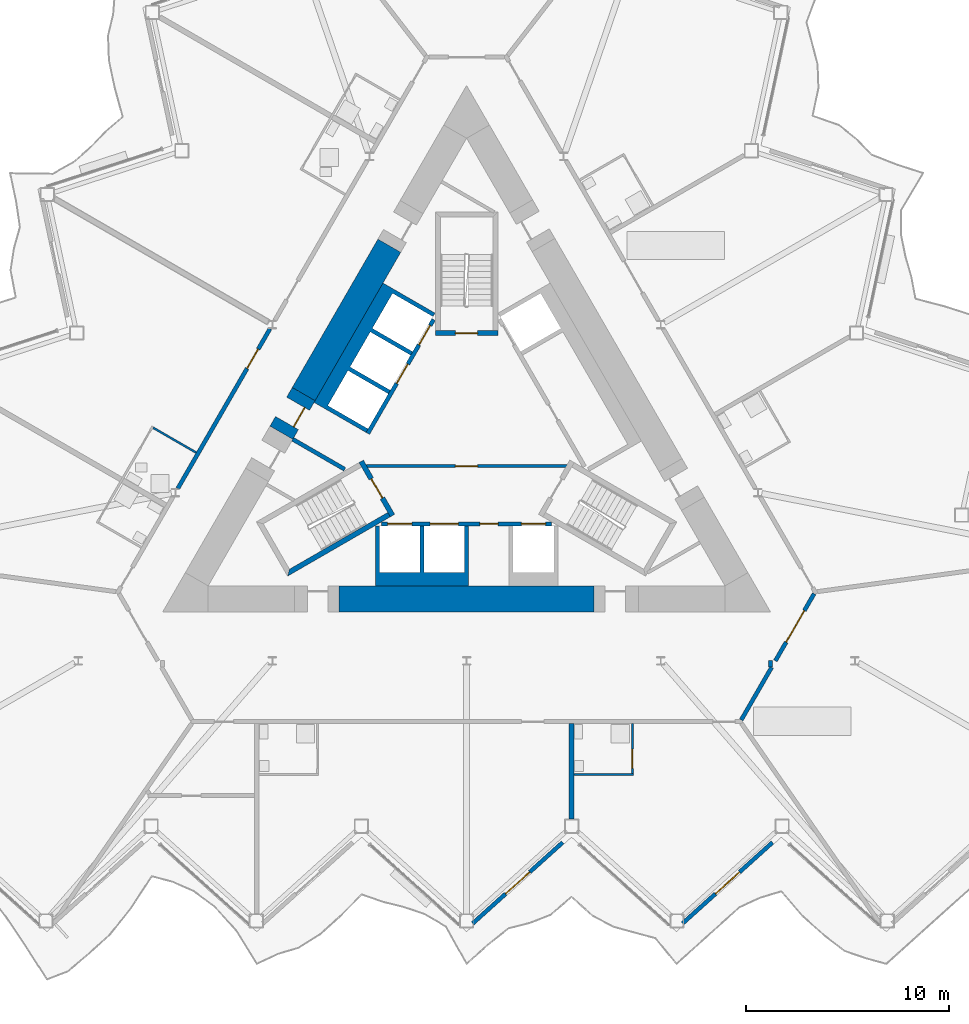
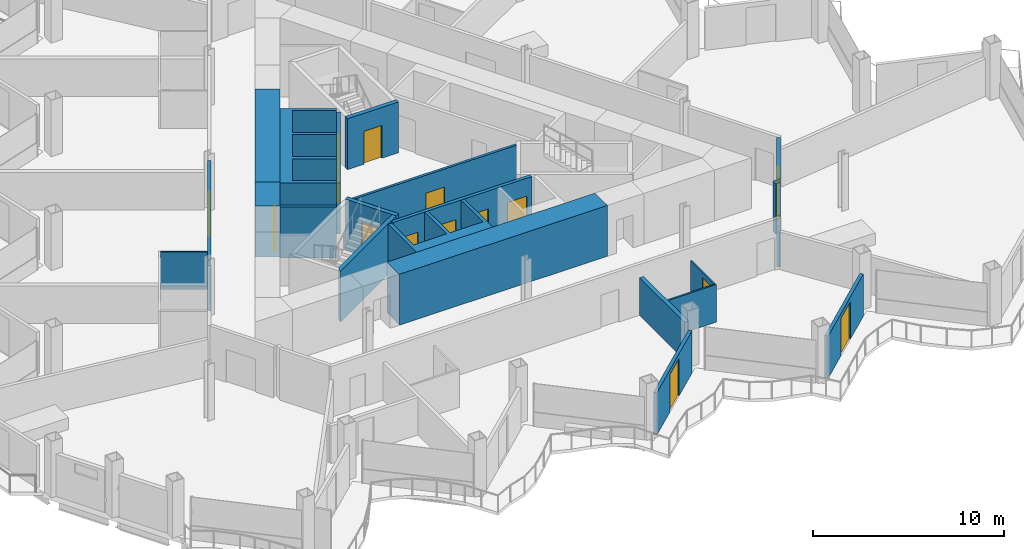
# One storey, part 12 of 23: 22 walls, 15 doors, 15 openings.
"""IFC4 building model written with IfcOpenShell, lengths in metres."""

from ifc_helpers import new_model, si_unit, direction, frame, frame_2d, origin, place, context, subcontext, project, spatial, polyline, rectangle, outline, extrude, material, layer, layer_set, type_object, element, fill, save


model = new_model("IFC4")

# Units and contexts
model_context = context("Model", 3, precision=1e-05, world=origin(), true_north=direction((0.0, 1.0)))
body_context = subcontext(model_context, "Body", "Model", "MODEL_VIEW")
ifc_project = project(units=[si_unit("LENGTHUNIT", "METRE"), si_unit("AREAUNIT", "SQUARE_METRE"), si_unit("VOLUMEUNIT", "CUBIC_METRE"), si_unit("PLANEANGLEUNIT", "RADIAN"), si_unit("MASSUNIT", "GRAM", prefix="KILO")], contexts=[model_context])

# Site, building, storey
site_placement = place(None, origin())
site = spatial("IfcSite", under=ifc_project, at=site_placement, CompositionType="ELEMENT")
building_placement = place(site_placement, origin())
building = spatial("IfcBuilding", under=site, at=building_placement, Name="Cormorant Prow Tower", CompositionType="ELEMENT")
storey_placement = place(building_placement, frame((0.0, 0.0, 241.800048828125)))
storey = spatial("IfcBuildingStorey", under=building, at=storey_placement, Name="L53", CompositionType="ELEMENT", Elevation=241.800048828125)

# Wall, opening, door
ifc_material_1 = material(Name="Gypsum board partition")
ifc_layer_1 = layer(ifc_material_1, 0.14990234375)
ifc_layer_set_1 = layer_set([ifc_layer_1], Name="Gypsum board partition")
wall_type_1 = type_object("IfcWallType", Name="Core partition 150", PredefinedType="PARTITIONING", material=ifc_layer_set_1)
wall_1_placement = place(storey_placement, frame((-4.941162109375, -1.449951171875, 0.0), z_axis=(0.0, 0.0, 1.0), x_axis=(1.0, 0.0, 0.0)))
wall_1 = element("IfcWall", 1, at=wall_1_placement, inside=storey, type_object=wall_type_1, Name="Firefighting lobby partition", PredefinedType="PARTITIONING", context=body_context, shape_type="SweptSolid", body=[
    extrude(rectangle(XDim=9.88232421875, YDim=0.14990234375, at=frame_2d((4.941162109375, 0.0))), origin(), (0.0, 0.0, 1.0), 3.25),
])
opening_1_placement = place(wall_1_placement, frame((4.39111328125, 0.0, 0.0)))
opening_1 = element("IfcOpeningElement", 2, at=opening_1_placement, cuts=wall_1, Name="Opening L53-C09", PredefinedType="OPENING", context=body_context, shape_type="SweptSolid", body=[
    extrude(rectangle(XDim=1.10009765625, YDim=2.10009765625, at=frame_2d((0.550048828125, 1.050048828125))), frame((0.0, 0.0849609375, 0.0), z_axis=(0.0, -1.0, 0.0), x_axis=(1.0, 0.0, 0.0)), (0.0, 0.0, 1.0), 0.169921875),
])
ifc_material_2 = material(Name="Painted steel", Category="steel")
door_type_1 = type_object("IfcDoorType", Name="Firefighting lobby door 1100x2100", OperationType="NOTDEFINED", PredefinedType="DOOR", material=ifc_material_2)
door_1_placement = place(opening_1_placement, origin())
door_1 = element("IfcDoor", 3, at=door_1_placement, inside=storey, type_object=door_type_1, Name="Firefighting lobby door", OperationType="SINGLE_SWING_LEFT", OverallHeight=2.10009765625, OverallWidth=1.10009765625, PredefinedType="DOOR", context=body_context, shape_type="SweptSolid", body=[
    extrude(rectangle(XDim=1.10009765625, YDim=2.10009765625, at=frame_2d((0.550048828125, 1.050048828125))), frame((0.0, 0.02490234375, 0.0), z_axis=(0.0, -1.0, 0.0), x_axis=(1.0, 0.0, 0.0)), (0.0, 0.0, 1.0), 0.050048828125),
])
fill(opening_1, door_1)

# Walls
ifc_material_3 = material(Name="Concrete 8000 psi", Category="concrete")
ifc_layer_2 = layer(ifc_material_3, 1.300048828125)
ifc_layer_set_2 = layer_set([ifc_layer_2], Name="Concrete 8000 psi")
wall_type_2 = type_object("IfcWallType", Name="Core shear wall 1300", PredefinedType="SHEAR", material=ifc_layer_set_2)
wall_2_placement = place(storey_placement, frame((-6.2880859375, -8.01025390625, 0.0), z_axis=(0.0, 0.0, 1.0), x_axis=(1.0, 0.0, 0.0)))
element("IfcWall", 4, at=wall_2_placement, inside=storey, type_object=wall_type_2, Name="Core wall", PredefinedType="SHEAR", context=body_context, shape_type="SweptSolid", body=[
    extrude(rectangle(XDim=12.576171875, YDim=1.300048828125, at=frame_2d((6.2880859375, 0.0))), origin(), (0.0, 0.0, 1.0), 3.25),
])
wall_3_placement = place(storey_placement, frame((-3.811767578125, 9.41845703125, 0.0), z_axis=(0.0, 0.0, 1.0), x_axis=(-0.499995037753, -0.86602826872, 0.0)))
element("IfcWall", 5, at=wall_3_placement, inside=storey, type_object=wall_type_2, Name="Core wall", PredefinedType="SHEAR", context=body_context, shape_type="SweptSolid", body=[
    extrude(rectangle(XDim=8.45068359375, YDim=1.300048828125, at=frame_2d((4.225341796875, 0.0))), origin(), (0.0, 0.0, 1.0), 3.25),
])

# Wall, opening, door
wall_4_placement = place(storey_placement, frame((-8.037109375, 2.099853515625, 0.0), z_axis=(0.0, 0.0, 1.0), x_axis=(-0.50002983664, -0.866008176907, 0.0)))
wall_4 = element("IfcWall", 6, at=wall_4_placement, inside=storey, type_object=wall_type_2, Name="Core wall door panel", PredefinedType="SHEAR", context=body_context, shape_type="SweptSolid", body=[
    extrude(rectangle(XDim=2.199951171875, YDim=1.300048828125, at=frame_2d((1.10009765625, 0.0))), origin(), (0.0, 0.0, 1.0), 3.25),
])
opening_2_placement = place(wall_4_placement, frame((0.550048828125, 0.0, 0.0)))
opening_2 = element("IfcOpeningElement", 7, at=opening_2_placement, cuts=wall_4, Name="Opening L53-C19", PredefinedType="OPENING", context=body_context, shape_type="SweptSolid", body=[
    extrude(rectangle(XDim=1.10009765625, YDim=2.10009765625, at=frame_2d((0.550048828125, 1.050048828125))), frame((0.0, 0.659912109375, 0.0), z_axis=(0.0, -1.0, 0.0), x_axis=(1.0, 0.0, 0.0)), (0.0, 0.0, 1.0), 1.320068359375),
])
ifc_material_4 = material(Name="Painted steel", Category="steel")
door_type_2 = type_object("IfcDoorType", Name="Core door 1100x2100", OperationType="NOTDEFINED", PredefinedType="DOOR", material=ifc_material_4)
door_2_placement = place(opening_2_placement, origin())
door_2 = element("IfcDoor", 8, at=door_2_placement, inside=storey, type_object=door_type_2, Name="Core door, lift lobby", OperationType="SINGLE_SWING_RIGHT", OverallHeight=2.10009765625, OverallWidth=1.10009765625, PredefinedType="DOOR", context=body_context, shape_type="SweptSolid", body=[
    extrude(rectangle(XDim=1.10009765625, YDim=2.10009765625, at=frame_2d((0.550048828125, 1.050048828125))), frame((0.0, 0.40478515625, 0.0), z_axis=(0.0, -1.0, 0.0), x_axis=(1.0, 0.0, 0.0)), (0.0, 0.0, 1.0), 0.050048828125),
])
fill(opening_2, door_2)

ifc_material_5 = material(Name="Gypsum board corridor wall")
ifc_layer_3 = layer(ifc_material_5, 0.199951171875)
ifc_layer_set_3 = layer_set([ifc_layer_3], Name="Gypsum board corridor wall")
wall_type_3 = type_object("IfcWallType", Name="Corridor wall 200", PredefinedType="PARTITIONING", material=ifc_layer_set_3)
wall_5_placement = place(storey_placement, frame((-14.24658203125, -2.5556640625, 0.0), z_axis=(0.0, 0.0, 1.0), x_axis=(0.49998193945, 0.866035830797, 0.0)))
wall_5 = element("IfcWall", 9, at=wall_5_placement, inside=storey, type_object=wall_type_3, Name="Corridor wall", PredefinedType="PARTITIONING", context=body_context, shape_type="SweptSolid", body=[
    extrude(rectangle(XDim=9.094482421875, YDim=0.199951171875, at=frame_2d((4.54736328125, 0.0))), origin(), (0.0, 0.0, 1.0), 3.25),
])
opening_3_placement = place(wall_5_placement, frame((6.833251953125, 0.0, 0.0)))
opening_3 = element("IfcOpeningElement", 10, at=opening_3_placement, cuts=wall_5, Name="Opening L53-F18", PredefinedType="OPENING", context=body_context, shape_type="SweptSolid", body=[
    extrude(rectangle(XDim=1.10009765625, YDim=2.10009765625, at=frame_2d((0.550048828125, 1.050048828125))), frame((0.0, 0.10986328125, 0.0), z_axis=(0.0, -1.0, 0.0), x_axis=(1.0, 0.0, 0.0)), (0.0, 0.0, 1.0), 0.219970703125),
])
ifc_material_6 = material(Name="Timber door leaf", Category="wood")
door_type_3 = type_object("IfcDoorType", Name="Suite entrance door 1100x2100", OperationType="NOTDEFINED", PredefinedType="DOOR", material=ifc_material_6)
door_3_placement = place(opening_3_placement, origin())
door_3 = element("IfcDoor", 11, at=door_3_placement, inside=storey, type_object=door_type_3, Name="Junior suite door", OperationType="SINGLE_SWING_RIGHT", OverallHeight=2.10009765625, OverallWidth=1.10009765625, PredefinedType="DOOR", context=body_context, shape_type="SweptSolid", body=[
    extrude(rectangle(XDim=1.10009765625, YDim=2.10009765625, at=frame_2d((0.550048828125, 1.050048828125))), frame((0.0, 0.02490234375, 0.0), z_axis=(0.0, -1.0, 0.0), x_axis=(1.0, 0.0, 0.0)), (0.0, 0.0, 1.0), 0.050048828125),
])
fill(opening_3, door_3)

wall_6_placement = place(storey_placement, frame((15.23095703125, -11.060302734375, 0.0), z_axis=(0.0, 0.0, 1.0), x_axis=(0.499961815444, 0.866047448526, 0.0)))
wall_6 = element("IfcWall", 12, at=wall_6_placement, inside=storey, type_object=wall_type_3, Name="Corridor wall", PredefinedType="PARTITIONING", context=body_context, shape_type="SweptSolid", body=[
    extrude(rectangle(XDim=3.825927734375, YDim=0.199951171875, at=frame_2d((1.9130859375, 0.0))), origin(), (0.0, 0.0, 1.0), 3.25),
])
opening_4_placement = place(wall_6_placement, frame((1.06396484375, 0.0, 0.0)))
opening_4 = element("IfcOpeningElement", 13, at=opening_4_placement, cuts=wall_6, Name="Opening L53-F07", PredefinedType="OPENING", context=body_context, shape_type="SweptSolid", body=[
    extrude(rectangle(XDim=1.800048828125, YDim=2.10009765625, at=frame_2d((0.89990234375, 1.050048828125))), frame((0.0, 0.10986328125, 0.0), z_axis=(0.0, -1.0, 0.0), x_axis=(1.0, 0.0, 0.0)), (0.0, 0.0, 1.0), 0.219970703125),
])
ifc_material_7 = material(Name="Timber door leaf", Category="wood")
door_type_4 = type_object("IfcDoorType", Name="Double door 1800x2100", OperationType="DOUBLE_DOOR_SINGLE_SWING", PredefinedType="DOOR", material=ifc_material_7)
door_4_placement = place(opening_4_placement, origin())
door_4 = element("IfcDoor", 14, at=door_4_placement, inside=storey, type_object=door_type_4, Name="Co-working space door", OperationType="DOUBLE_DOOR_SINGLE_SWING", OverallHeight=2.10009765625, OverallWidth=1.800048828125, PredefinedType="DOOR", context=body_context, shape_type="SweptSolid", body=[
    extrude(rectangle(XDim=1.800048828125, YDim=2.10009765625, at=frame_2d((0.89990234375, 1.050048828125))), frame((0.0, 0.02490234375, 0.0), z_axis=(0.0, -1.0, 0.0), x_axis=(1.0, 0.0, 0.0)), (0.0, 0.0, 1.0), 0.050048828125),
])
fill(opening_4, door_4)

# Walls
wall_7_placement = place(storey_placement, frame((13.548828125, -13.9736328125, 0.0), z_axis=(0.0, 0.0, 1.0), x_axis=(0.500048608389, 0.865997337899, 0.0)))
element("IfcWall", 15, at=wall_7_placement, inside=storey, type_object=wall_type_3, Name="Corridor wall", PredefinedType="PARTITIONING", context=body_context, shape_type="SweptSolid", body=[
    extrude(rectangle(XDim=3.002197265625, YDim=0.199951171875, at=frame_2d((1.5009765625, 0.0))), origin(), (0.0, 0.0, 1.0), 3.25),
])
wall_8_placement = place(storey_placement, frame((15.0, -11.3603515625, 0.0), z_axis=(0.0, 0.0, 1.0), x_axis=(0.0, 1.0, 0.0)))
element("IfcWall", 16, at=wall_8_placement, inside=storey, type_object=wall_type_3, Name="Corridor wall", PredefinedType="PARTITIONING", context=body_context, shape_type="SweptSolid", body=[
    extrude(rectangle(XDim=0.31005859375, YDim=0.199951171875, at=frame_2d((0.155029296875, 0.0))), origin(), (0.0, 0.0, 1.0), 3.25),
])
ifc_material_8 = material(Name="Gypsum board partition")
ifc_layer_4 = layer(ifc_material_8, 0.10009765625)
ifc_layer_set_4 = layer_set([ifc_layer_4], Name="Gypsum board partition")
wall_type_4 = type_object("IfcWallType", Name="Internal partition 100", PredefinedType="PARTITIONING", material=ifc_layer_set_4)
wall_9_placement = place(storey_placement, frame((5.30078125, -16.660400390625, 0.0), z_axis=(0.0, 0.0, 1.0), x_axis=(1.0, 0.0, 0.0)))
element("IfcWall", 17, at=wall_9_placement, inside=storey, type_object=wall_type_4, Name="Internal partition", PredefinedType="PARTITIONING", context=body_context, shape_type="SweptSolid", body=[
    extrude(rectangle(XDim=2.9248046875, YDim=0.10009765625, at=frame_2d((1.46240234375, 0.0))), origin(), (0.0, 0.0, 1.0), 2.404052734375),
])
wall_10_placement = place(storey_placement, frame((-15.46240234375, 0.438720703125, 0.0), z_axis=(0.0, 0.0, 1.0), x_axis=(0.865989751695, -0.500061746146, 0.0)))
element("IfcWall", 18, at=wall_10_placement, inside=storey, type_object=wall_type_4, Name="Internal partition", PredefinedType="PARTITIONING", context=body_context, shape_type="SweptSolid", body=[
    extrude(rectangle(XDim=2.449951171875, YDim=0.10009765625, at=frame_2d((1.22509765625, 0.0))), origin(), (0.0, 0.0, 1.0), 2.404052734375),
])

# Wall, opening, door
wall_11_placement = place(storey_placement, frame((8.17578125, -16.6103515625, 0.0), z_axis=(0.0, 0.0, 1.0), x_axis=(0.0, 1.0, 0.0)))
wall_11 = element("IfcWall", 19, at=wall_11_placement, inside=storey, type_object=wall_type_4, Name="Internal partition", PredefinedType="PARTITIONING", context=body_context, shape_type="SweptSolid", body=[
    extrude(rectangle(XDim=2.449951171875, YDim=0.10009765625, at=frame_2d((1.22509765625, 0.0))), origin(), (0.0, 0.0, 1.0), 2.404052734375),
])
opening_5_placement = place(wall_11_placement, frame((0.25, 0.0, 0.0)))
opening_5 = element("IfcOpeningElement", 20, at=opening_5_placement, cuts=wall_11, Name="Opening L53-F06", PredefinedType="OPENING", context=body_context, shape_type="SweptSolid", body=[
    extrude(rectangle(XDim=0.949951171875, YDim=2.10009765625, at=frame_2d((0.47509765625, 1.050048828125))), frame((0.0, 0.06005859375, 0.0), z_axis=(0.0, -1.0, 0.0), x_axis=(1.0, 0.0, 0.0)), (0.0, 0.0, 1.0), 0.1201171875),
])
ifc_material_9 = material(Name="Timber door leaf", Category="wood")
door_type_5 = type_object("IfcDoorType", Name="Bathroom door 950x2100", OperationType="NOTDEFINED", PredefinedType="DOOR", material=ifc_material_9)
door_5_placement = place(opening_5_placement, origin())
door_5 = element("IfcDoor", 21, at=door_5_placement, inside=storey, type_object=door_type_5, Name="Executive suite bedroom door", OperationType="SINGLE_SWING_LEFT", OverallHeight=2.10009765625, OverallWidth=0.949951171875, PredefinedType="DOOR", context=body_context, shape_type="SweptSolid", body=[
    extrude(rectangle(XDim=0.949951171875, YDim=2.10009765625, at=frame_2d((0.47509765625, 1.050048828125))), frame((0.0, 0.02490234375, 0.0), z_axis=(0.0, -1.0, 0.0), x_axis=(1.0, 0.0, 0.0)), (0.0, 0.0, 1.0), 0.050048828125),
])
fill(opening_5, door_5)

# Wall, openings, doors
ifc_material_10 = material(Name="Concrete 5000 psi", Category="concrete")
ifc_layer_5 = layer(ifc_material_10, 0.199951171875)
ifc_layer_set_5 = layer_set([ifc_layer_5], Name="Concrete 5000 psi")
wall_type_5 = type_object("IfcWallType", Name="Lift lobby wall 200", PredefinedType="SOLIDWALL", material=ifc_layer_set_5)
wall_12_placement = place(storey_placement, frame((-4.1865234375, -4.300048828125, 0.0), z_axis=(0.0, 0.0, 1.0), x_axis=(1.0, 0.0, 0.0)))
wall_12 = element("IfcWall", 22, at=wall_12_placement, inside=storey, type_object=wall_type_5, Name="Lift lobby wall, S block", PredefinedType="SOLIDWALL", context=body_context, shape_type="SweptSolid", body=[
    extrude(rectangle(XDim=8.373046875, YDim=0.199951171875, at=frame_2d((4.1865234375, 0.0))), origin(), (0.0, 0.0, 1.0), 3.25),
])
opening_6_placement = place(wall_12_placement, frame((0.28662109375, 0.0, 0.0)))
opening_6 = element("IfcOpeningElement", 23, at=opening_6_placement, cuts=wall_12, Name="Opening L53-C01", PredefinedType="OPENING", context=body_context, shape_type="SweptSolid", body=[
    extrude(rectangle(XDim=1.199951171875, YDim=2.10009765625, at=frame_2d((0.60009765625, 1.050048828125))), frame((0.0, 0.10986328125, 0.0), z_axis=(0.0, -1.0, 0.0), x_axis=(1.0, 0.0, 0.0)), (0.0, 0.0, 1.0), 0.219970703125),
])
opening_7_placement = place(wall_12_placement, frame((2.38671875, 0.0, 0.0)))
opening_7 = element("IfcOpeningElement", 24, at=opening_7_placement, cuts=wall_12, Name="Opening L53-C02", PredefinedType="OPENING", context=body_context, shape_type="SweptSolid", body=[
    extrude(rectangle(XDim=1.39990234375, YDim=2.10009765625, at=frame_2d((0.699951171875, 1.050048828125))), frame((0.0, 0.10986328125, 0.0), z_axis=(0.0, -1.0, 0.0), x_axis=(1.0, 0.0, 0.0)), (0.0, 0.0, 1.0), 0.219970703125),
])
opening_8_placement = place(wall_12_placement, frame((4.836669921875, 0.0, 0.0)))
opening_8 = element("IfcOpeningElement", 25, at=opening_8_placement, cuts=wall_12, Name="Opening L53-C03", PredefinedType="OPENING", context=body_context, shape_type="SweptSolid", body=[
    extrude(rectangle(XDim=0.89990234375, YDim=2.10009765625, at=frame_2d((0.449951171875, 1.050048828125))), frame((0.0, 0.10986328125, 0.0), z_axis=(0.0, -1.0, 0.0), x_axis=(1.0, 0.0, 0.0)), (0.0, 0.0, 1.0), 0.219970703125),
])
opening_9_placement = place(wall_12_placement, frame((6.88671875, 0.0, 0.0)))
opening_9 = element("IfcOpeningElement", 26, at=opening_9_placement, cuts=wall_12, Name="Opening L53-C04", PredefinedType="OPENING", context=body_context, shape_type="SweptSolid", body=[
    extrude(rectangle(XDim=1.199951171875, YDim=2.10009765625, at=frame_2d((0.60009765625, 1.050048828125))), frame((0.0, 0.10986328125, 0.0), z_axis=(0.0, -1.0, 0.0), x_axis=(1.0, 0.0, 0.0)), (0.0, 0.0, 1.0), 0.219970703125),
])
ifc_material_11 = material(Name="Painted steel", Category="steel")
door_type_6 = type_object("IfcDoorType", Name="Firefighting lift landing door 1200x2100", OperationType="SLIDING_TO_LEFT", PredefinedType="DOOR", material=ifc_material_11)
door_6_placement = place(opening_6_placement, origin())
door_6 = element("IfcDoor", 27, at=door_6_placement, inside=storey, type_object=door_type_6, Name="Landing door FL1", OperationType="SLIDING_TO_LEFT", OverallHeight=2.10009765625, OverallWidth=1.199951171875, PredefinedType="DOOR", context=body_context, shape_type="SweptSolid", body=[
    extrude(rectangle(XDim=1.199951171875, YDim=2.10009765625, at=frame_2d((0.60009765625, 1.050048828125))), frame((0.0, 0.02490234375, 0.0), z_axis=(0.0, -1.0, 0.0), x_axis=(1.0, 0.0, 0.0)), (0.0, 0.0, 1.0), 0.050048828125),
])
fill(opening_6, door_6)
door_7_placement = place(opening_9_placement, origin())
door_7 = element("IfcDoor", 28, at=door_7_placement, inside=storey, type_object=door_type_6, Name="Landing door FL2", OperationType="SLIDING_TO_LEFT", OverallHeight=2.10009765625, OverallWidth=1.199951171875, PredefinedType="DOOR", context=body_context, shape_type="SweptSolid", body=[
    extrude(rectangle(XDim=1.199951171875, YDim=2.10009765625, at=frame_2d((0.60009765625, 1.050048828125))), frame((0.0, 0.02490234375, 0.0), z_axis=(0.0, -1.0, 0.0), x_axis=(1.0, 0.0, 0.0)), (0.0, 0.0, 1.0), 0.050048828125),
])
fill(opening_9, door_7)
ifc_material_12 = material(Name="Painted steel", Category="steel")
door_type_7 = type_object("IfcDoorType", Name="Service door 900x2100", OperationType="NOTDEFINED", PredefinedType="DOOR", material=ifc_material_12)
door_8_placement = place(opening_8_placement, origin())
door_8 = element("IfcDoor", 29, at=door_8_placement, inside=storey, type_object=door_type_7, Name="Service door, Telecom room", OperationType="SINGLE_SWING_RIGHT", OverallHeight=2.10009765625, OverallWidth=0.89990234375, PredefinedType="DOOR", context=body_context, shape_type="SweptSolid", body=[
    extrude(rectangle(XDim=0.89990234375, YDim=2.10009765625, at=frame_2d((0.449951171875, 1.050048828125))), frame((0.0, 0.02490234375, 0.0), z_axis=(0.0, -1.0, 0.0), x_axis=(1.0, 0.0, 0.0)), (0.0, 0.0, 1.0), 0.050048828125),
])
fill(opening_8, door_8)
ifc_material_13 = material(Name="Painted steel", Category="steel")
door_type_8 = type_object("IfcDoorType", Name="Service lift landing door 1400x2100", OperationType="SLIDING_TO_LEFT", PredefinedType="DOOR", material=ifc_material_13)
door_9_placement = place(opening_7_placement, origin())
door_9 = element("IfcDoor", 30, at=door_9_placement, inside=storey, type_object=door_type_8, Name="Landing door SL1", OperationType="SLIDING_TO_LEFT", OverallHeight=2.10009765625, OverallWidth=1.39990234375, PredefinedType="DOOR", context=body_context, shape_type="SweptSolid", body=[
    extrude(rectangle(XDim=1.39990234375, YDim=2.10009765625, at=frame_2d((0.699951171875, 1.050048828125))), frame((0.0, 0.02490234375, 0.0), z_axis=(0.0, -1.0, 0.0), x_axis=(1.0, 0.0, 0.0)), (0.0, 0.0, 1.0), 0.050048828125),
])
fill(opening_7, door_9)

wall_13_placement = place(storey_placement, frame((-1.630615234375, 5.775634765625, 0.0), z_axis=(0.0, 0.0, 1.0), x_axis=(-0.499992876559, -0.866029516466, 0.0)))
wall_13 = element("IfcWall", 31, at=wall_13_placement, inside=storey, type_object=wall_type_5, Name="Lift lobby wall, WNW block", PredefinedType="SOLIDWALL", context=body_context, shape_type="SweptSolid", body=[
    extrude(rectangle(XDim=6.486328125, YDim=0.199951171875, at=frame_2d((3.2431640625, 0.0))), origin(), (0.0, 0.0, 1.0), 3.25),
])
opening_10_placement = place(wall_13_placement, frame((0.336669921875, 0.0, 0.0)))
opening_10 = element("IfcOpeningElement", 32, at=opening_10_placement, cuts=wall_13, Name="Opening L53-C07", PredefinedType="OPENING", context=body_context, shape_type="SweptSolid", body=[
    extrude(rectangle(XDim=1.10009765625, YDim=2.10009765625, at=frame_2d((0.550048828125, 1.050048828125))), frame((0.0, 0.10986328125, 0.0), z_axis=(0.0, -1.0, 0.0), x_axis=(1.0, 0.0, 0.0)), (0.0, 0.0, 1.0), 0.219970703125),
])
opening_11_placement = place(wall_13_placement, frame((2.53662109375, 0.0, 0.0)))
opening_11 = element("IfcOpeningElement", 33, at=opening_11_placement, cuts=wall_13, Name="Opening L53-C08", PredefinedType="OPENING", context=body_context, shape_type="SweptSolid", body=[
    extrude(rectangle(XDim=1.10009765625, YDim=2.10009765625, at=frame_2d((0.550048828125, 1.050048828125))), frame((0.0, 0.10986328125, 0.0), z_axis=(0.0, -1.0, 0.0), x_axis=(1.0, 0.0, 0.0)), (0.0, 0.0, 1.0), 0.219970703125),
])
ifc_material_14 = material(Name="Painted steel", Category="steel")
door_type_9 = type_object("IfcDoorType", Name="Lift landing door 1100x2100", OperationType="SLIDING_TO_LEFT", PredefinedType="DOOR", material=ifc_material_14)
door_10_placement = place(opening_10_placement, origin())
door_10 = element("IfcDoor", 34, at=door_10_placement, inside=storey, type_object=door_type_9, Name="Landing door MR2", OperationType="SLIDING_TO_LEFT", OverallHeight=2.10009765625, OverallWidth=1.10009765625, PredefinedType="DOOR", context=body_context, shape_type="SweptSolid", body=[
    extrude(rectangle(XDim=1.10009765625, YDim=2.10009765625, at=frame_2d((0.550048828125, 1.050048828125))), frame((0.0, 0.02490234375, 0.0), z_axis=(0.0, -1.0, 0.0), x_axis=(1.0, 0.0, 0.0)), (0.0, 0.0, 1.0), 0.050048828125),
])
fill(opening_10, door_10)
door_11_placement = place(opening_11_placement, origin())
door_11 = element("IfcDoor", 35, at=door_11_placement, inside=storey, type_object=door_type_9, Name="Landing door MR3", OperationType="SLIDING_TO_LEFT", OverallHeight=2.10009765625, OverallWidth=1.10009765625, PredefinedType="DOOR", context=body_context, shape_type="SweptSolid", body=[
    extrude(rectangle(XDim=1.10009765625, YDim=2.10009765625, at=frame_2d((0.550048828125, 1.050048828125))), frame((0.0, 0.02490234375, 0.0), z_axis=(0.0, -1.0, 0.0), x_axis=(1.0, 0.0, 0.0)), (0.0, 0.0, 1.0), 0.050048828125),
])
fill(opening_11, door_11)

# Walls
ifc_material_15 = material(Name="Concrete 8000 psi", Category="concrete")
ifc_layer_6 = layer(ifc_material_15, 0.199951171875)
ifc_layer_set_6 = layer_set([ifc_layer_6], Name="Concrete 8000 psi")
wall_type_6 = type_object("IfcWallType", Name="Lift shaft wall 200", PredefinedType="SHEAR", material=ifc_layer_set_6)
wall_14_placement = place(storey_placement, origin())
element("IfcWall", 36, at=wall_14_placement, inside=storey, type_object=wall_type_6, Name="Lift shaft walls, S block", PredefinedType="SHEAR", context=body_context, shape_type="SweptSolid", body=[
    extrude(outline(polyline([(0.10009765625, -7.3603515625), (-4.5, -7.3603515625), (-4.5, -4.39990234375), (-4.300048828125, -4.39990234375), (-4.300048828125, -6.699951171875), (-2.300048828125, -6.699951171875), (-2.300048828125, -4.39990234375), (-2.10009765625, -4.39990234375), (-2.10009765625, -6.699951171875), (-0.10009765625, -6.699951171875), (-0.10009765625, -4.39990234375), (0.10009765625, -4.39990234375), (0.10009765625, -7.3603515625)])), origin(), (0.0, 0.0, 1.0), 3.25),
])
wall_15_placement = place(storey_placement, origin())
element("IfcWall", 37, at=wall_15_placement, inside=storey, type_object=wall_type_6, Name="Lift shaft walls, WNW block", PredefinedType="SHEAR", context=body_context, shape_type="SweptSolid", body=[
    extrude(outline(polyline([(-7.524169921875, 1.688232421875), (-4.124267578125, 7.5771484375), (-3.730712890625, 7.35009765625), (-1.560546875, 6.09716796875), (-1.660400390625, 5.923828125), (-3.65234375, 7.073974609375), (-4.65234375, 5.341796875), (-2.660400390625, 4.19189453125), (-2.760498046875, 4.018798828125), (-4.75244140625, 5.168701171875), (-5.75244140625, 3.4365234375), (-3.760498046875, 2.28662109375), (-3.860595703125, 2.11328125), (-5.852294921875, 3.263427734375), (-6.852294921875, 1.53125), (-4.860595703125, 0.38134765625), (-4.96044921875, 0.2080078125), (-7.130859375, 1.461181640625), (-7.524169921875, 1.688232421875)])), origin(), (0.0, 0.0, 1.0), 3.25),
])
wall_16_placement = place(storey_placement, origin())
element("IfcWall", 38, at=wall_16_placement, inside=storey, type_object=wall_type_6, Name="Lift shaft walls, WNW block", PredefinedType="SHEAR", context=body_context, shape_type="SweptSolid", body=[
    extrude(outline(polyline([(-8.524169921875, -0.043701171875), (-8.130859375, -0.27099609375), (-5.96044921875, -1.52392578125), (-6.060546875, -1.697021484375), (-8.230712890625, -0.444091796875), (-8.624267578125, -0.217041015625), (-8.524169921875, -0.043701171875)])), origin(), (0.0, 0.0, 1.0), 3.25),
])
ifc_material_16 = material(Name="Concrete 8000 psi", Category="concrete")
ifc_layer_7 = layer(ifc_material_16, 0.25)
ifc_layer_set_7 = layer_set([ifc_layer_7], Name="Concrete 8000 psi")
wall_type_7 = type_object("IfcWallType", Name="Stair wall 250", PredefinedType="SHEAR", material=ifc_layer_set_7)
wall_17_placement = place(storey_placement, origin())
element("IfcWall", 39, at=wall_17_placement, inside=storey, type_object=wall_type_7, Name="Stair ST1 enclosure wall (flank)", PredefinedType="SHEAR", context=body_context, shape_type="SweptSolid", body=[
    extrude(outline(polyline([(-8.738037109375, -6.5390625), (-8.82958984375, -6.880615234375), (-3.76318359375, -3.95556640625), (-3.88818359375, -3.739013671875), (-8.738037109375, -6.5390625)])), origin(), (0.0, 0.0, 1.0), 3.25),
])

# Wall, opening, door
wall_18_placement = place(storey_placement, frame((-5.198974609375, -1.21875, 0.0), z_axis=(0.0, 0.0, 1.0), x_axis=(0.499982516597, -0.866035497597, 0.0)))
wall_18 = element("IfcWall", 40, at=wall_18_placement, inside=storey, type_object=wall_type_7, Name="Stair ST1 door wall", PredefinedType="SHEAR", context=body_context, shape_type="SweptSolid", body=[
    extrude(rectangle(XDim=3.087890625, YDim=0.25, at=frame_2d((1.5439453125, 0.0))), origin(), (0.0, 0.0, 1.0), 3.25),
])
opening_12_placement = place(wall_18_placement, frame((0.993896484375, 0.0, 0.0)))
opening_12 = element("IfcOpeningElement", 41, at=opening_12_placement, cuts=wall_18, Name="Opening L53-C10", PredefinedType="OPENING", context=body_context, shape_type="SweptSolid", body=[
    extrude(rectangle(XDim=1.10009765625, YDim=2.10009765625, at=frame_2d((0.550048828125, 1.050048828125))), frame((0.0, 0.135009765625, 0.0), z_axis=(0.0, -1.0, 0.0), x_axis=(1.0, 0.0, 0.0)), (0.0, 0.0, 1.0), 0.27001953125),
])
ifc_material_17 = material(Name="Painted steel", Category="steel")
door_type_10 = type_object("IfcDoorType", Name="Stair door 1100x2100", OperationType="NOTDEFINED", PredefinedType="DOOR", material=ifc_material_17)
door_12_placement = place(opening_12_placement, origin())
door_12 = element("IfcDoor", 42, at=door_12_placement, inside=storey, type_object=door_type_10, Name="Stair ST1 door", OperationType="SINGLE_SWING_LEFT", OverallHeight=2.10009765625, OverallWidth=1.10009765625, PredefinedType="DOOR", context=body_context, shape_type="SweptSolid", body=[
    extrude(rectangle(XDim=1.10009765625, YDim=2.10009765625, at=frame_2d((0.550048828125, 1.050048828125))), frame((0.0, 0.02490234375, 0.0), z_axis=(0.0, -1.0, 0.0), x_axis=(1.0, 0.0, 0.0)), (0.0, 0.0, 1.0), 0.050048828125),
])
fill(opening_12, door_12)

wall_19_placement = place(storey_placement, frame((1.5439453125, 5.11181640625, 0.0), z_axis=(0.0, 0.0, 1.0), x_axis=(-1.0, 0.0, 0.0)))
wall_19 = element("IfcWall", 43, at=wall_19_placement, inside=storey, type_object=wall_type_7, Name="Stair ST3 door wall", PredefinedType="SHEAR", context=body_context, shape_type="SweptSolid", body=[
    extrude(rectangle(XDim=3.087890625, YDim=0.25, at=frame_2d((1.5439453125, 0.0))), origin(), (0.0, 0.0, 1.0), 3.25),
])
opening_13_placement = place(wall_19_placement, frame((0.993896484375, 0.0, 0.0)))
opening_13 = element("IfcOpeningElement", 44, at=opening_13_placement, cuts=wall_19, Name="Opening L53-C12", PredefinedType="OPENING", context=body_context, shape_type="SweptSolid", body=[
    extrude(rectangle(XDim=1.10009765625, YDim=2.10009765625, at=frame_2d((0.550048828125, 1.050048828125))), frame((0.0, 0.135009765625, 0.0), z_axis=(0.0, -1.0, 0.0), x_axis=(1.0, 0.0, 0.0)), (0.0, 0.0, 1.0), 0.27001953125),
])
door_13_placement = place(opening_13_placement, origin())
door_13 = element("IfcDoor", 45, at=door_13_placement, inside=storey, type_object=door_type_10, Name="Stair ST3 door", OperationType="SINGLE_SWING_LEFT", OverallHeight=2.10009765625, OverallWidth=1.10009765625, PredefinedType="DOOR", context=body_context, shape_type="SweptSolid", body=[
    extrude(rectangle(XDim=1.10009765625, YDim=2.10009765625, at=frame_2d((0.550048828125, 1.050048828125))), frame((0.0, 0.02490234375, 0.0), z_axis=(0.0, -1.0, 0.0), x_axis=(1.0, 0.0, 0.0)), (0.0, 0.0, 1.0), 0.050048828125),
])
fill(opening_13, door_13)

# Wall
ifc_material_18 = material(Name="Acoustic gypsum party wall")
ifc_layer_8 = layer(ifc_material_18, 0.25)
ifc_layer_set_8 = layer_set([ifc_layer_8], Name="Acoustic gypsum party wall")
wall_type_8 = type_object("IfcWallType", Name="Suite party wall 250", PredefinedType="PARTITIONING", material=ifc_layer_set_8)
wall_20_placement = place(storey_placement, frame((5.17578125, -18.85546875, 0.0), z_axis=(0.0, 0.0, 1.0), x_axis=(0.0, 1.0, 0.0)))
element("IfcWall", 46, at=wall_20_placement, inside=storey, type_object=wall_type_8, Name="Suite party wall", PredefinedType="PARTITIONING", context=body_context, shape_type="SweptSolid", body=[
    extrude(rectangle(XDim=4.695068359375, YDim=0.25, at=frame_2d((2.34765625, 0.0))), origin(), (0.0, 0.0, 1.0), 2.404052734375),
])

# Wall, opening, door
ifc_material_19 = material(Name="Terracotta", Category="masonry")
ifc_layer_9 = layer(ifc_material_19, 0.199951171875)
ifc_layer_set_9 = layer_set([ifc_layer_9], Name="Terracotta")
wall_type_9 = type_object("IfcWallType", Name="Terracotta jamb wall 200", PredefinedType="SOLIDWALL", material=ifc_layer_set_9)
wall_21_placement = place(storey_placement, frame((0.305419921875, -24.0087890625, 0.0), z_axis=(0.0, 0.0, 1.0), x_axis=(0.74315161366, 0.669123067241, 0.0)))
wall_21 = element("IfcWall", 47, at=wall_21_placement, inside=storey, type_object=wall_type_9, Name="Terracotta jamb wall S05", PredefinedType="SOLIDWALL", context=body_context, shape_type="SweptSolid", body=[
    extrude(rectangle(XDim=5.962646484375, YDim=0.199951171875, at=frame_2d((2.9814453125, 0.0))), origin(), (0.0, 0.0, 1.0), 2.700927734375),
])
opening_14_placement = place(wall_21_placement, frame((2.181396484375, 0.0, 0.0)))
opening_14 = element("IfcOpeningElement", 48, at=opening_14_placement, cuts=wall_21, Name="Opening ED53.03", PredefinedType="OPENING", context=body_context, shape_type="SweptSolid", body=[
    extrude(rectangle(XDim=1.60009765625, YDim=2.39990234375, at=frame_2d((0.800048828125, 1.199951171875))), frame((0.0, 0.10986328125, 0.0), z_axis=(0.0, -1.0, 0.0), x_axis=(1.0, 0.0, 0.0)), (0.0, 0.0, 1.0), 0.219970703125),
])
ifc_material_20 = material(Name="Aluminium 6063-T6", Category="aluminium")
door_type_11 = type_object("IfcDoorType", Name="Balcony door 1600x2400", OperationType="DOUBLE_DOOR_SINGLE_SWING", PredefinedType="DOOR", material=ifc_material_20)
door_14_placement = place(opening_14_placement, origin())
door_14 = element("IfcDoor", 49, at=door_14_placement, inside=storey, type_object=door_type_11, Name="Balcony door S05 ED53.03", OperationType="DOUBLE_DOOR_SINGLE_SWING", OverallHeight=2.39990234375, OverallWidth=1.60009765625, PredefinedType="DOOR", context=body_context, shape_type="SweptSolid", body=[
    extrude(rectangle(XDim=1.60009765625, YDim=2.39990234375, at=frame_2d((0.800048828125, 1.199951171875))), frame((0.0, 0.02490234375, 0.0), z_axis=(0.0, -1.0, 0.0), x_axis=(1.0, 0.0, 0.0)), (0.0, 0.0, 1.0), 0.050048828125),
])
fill(opening_14, door_14)

wall_22_placement = place(storey_placement, frame((10.65673828125, -24.0087890625, 0.0), z_axis=(0.0, 0.0, 1.0), x_axis=(0.74315161366, 0.669123067241, 0.0)))
wall_22 = element("IfcWall", 50, at=wall_22_placement, inside=storey, type_object=wall_type_9, Name="Terracotta jamb wall S07", PredefinedType="SOLIDWALL", context=body_context, shape_type="SweptSolid", body=[
    extrude(rectangle(XDim=5.962646484375, YDim=0.199951171875, at=frame_2d((2.9814453125, 0.0))), origin(), (0.0, 0.0, 1.0), 2.700927734375),
])
opening_15_placement = place(wall_22_placement, frame((2.181396484375, 0.0, 0.0)))
opening_15 = element("IfcOpeningElement", 51, at=opening_15_placement, cuts=wall_22, Name="Opening ED53.04", PredefinedType="OPENING", context=body_context, shape_type="SweptSolid", body=[
    extrude(rectangle(XDim=1.60009765625, YDim=2.39990234375, at=frame_2d((0.800048828125, 1.199951171875))), frame((0.0, 0.10986328125, 0.0), z_axis=(0.0, -1.0, 0.0), x_axis=(1.0, 0.0, 0.0)), (0.0, 0.0, 1.0), 0.219970703125),
])
door_15_placement = place(opening_15_placement, origin())
door_15 = element("IfcDoor", 52, at=door_15_placement, inside=storey, type_object=door_type_11, Name="Balcony door S07 ED53.04", OperationType="DOUBLE_DOOR_SINGLE_SWING", OverallHeight=2.39990234375, OverallWidth=1.60009765625, PredefinedType="DOOR", context=body_context, shape_type="SweptSolid", body=[
    extrude(rectangle(XDim=1.60009765625, YDim=2.39990234375, at=frame_2d((0.800048828125, 1.199951171875))), frame((0.0, 0.02490234375, 0.0), z_axis=(0.0, -1.0, 0.0), x_axis=(1.0, 0.0, 0.0)), (0.0, 0.0, 1.0), 0.050048828125),
])
fill(opening_15, door_15)

save(model, "model.ifc")
